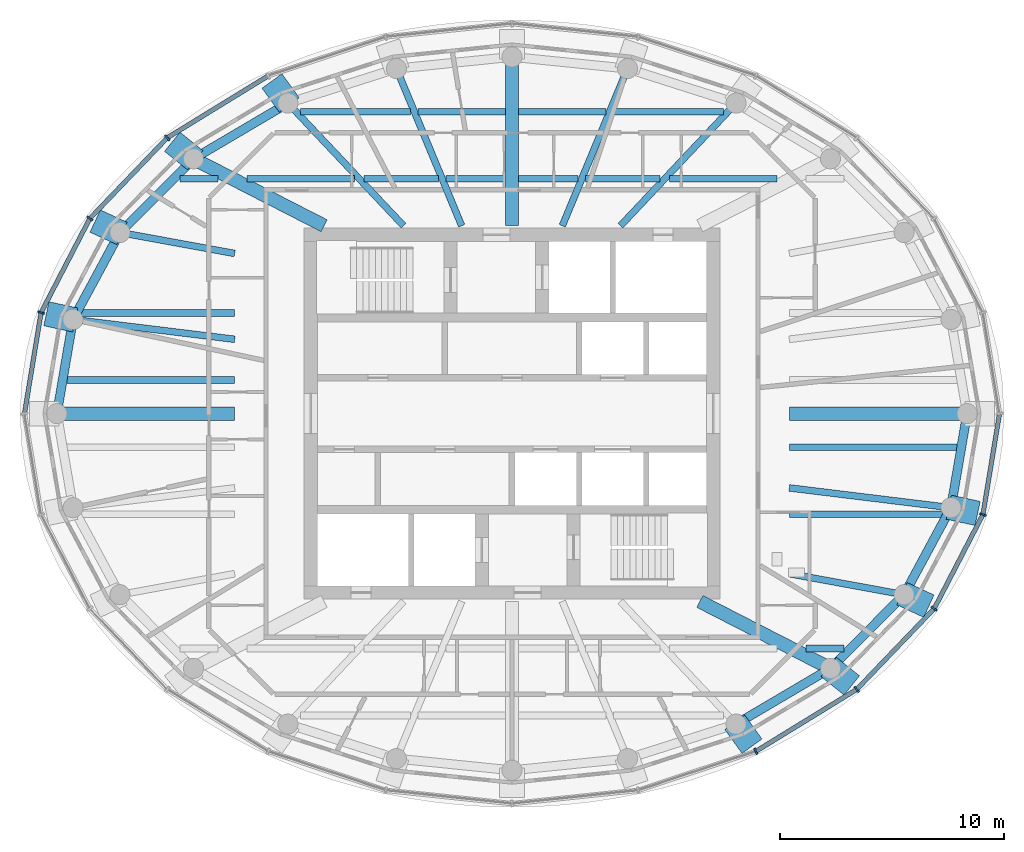
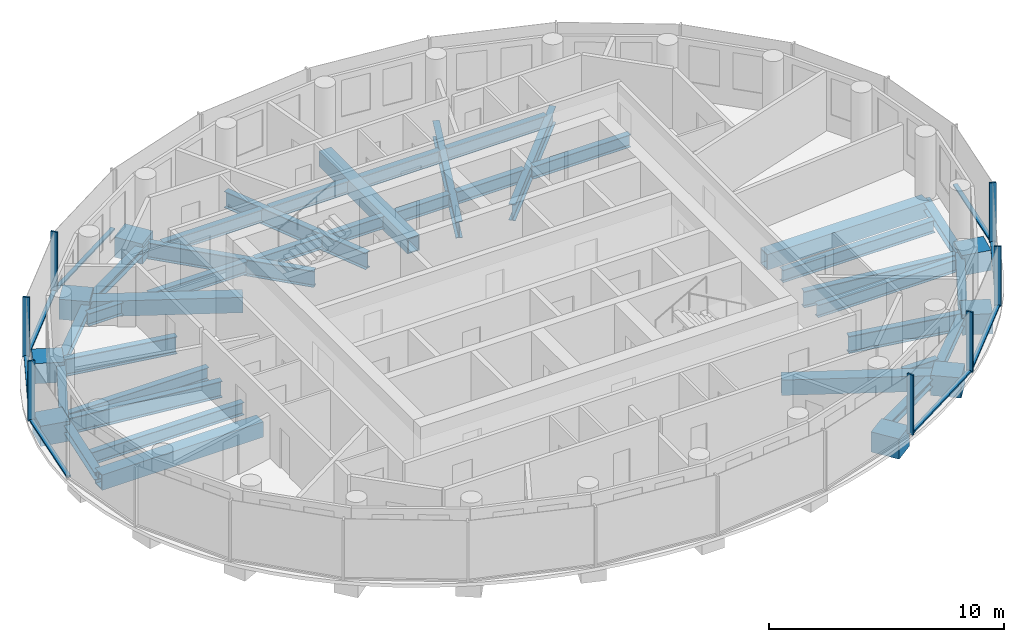
# One storey, part 2 of 11: 45 beams, 15 members, 2 elements without a shape of their own.
"""IFC4 building model written with IfcOpenShell, lengths in metres."""

from ifc_helpers import new_model, si_unit, direction, frame, origin, origin_2d, place, context, subcontext, project, spatial, rectangle, hollow_rectangle, i_section, extrude, material, material_profile, profile_set, type_object, element, aggregate, save


model = new_model("IFC4")

# Units and contexts
model_context = context("Model", 3, precision=1e-05, world=origin(), true_north=direction((0.0, 1.0)))
body_context = subcontext(model_context, "Body", "Model", "MODEL_VIEW")
ifc_project = project(units=[si_unit("LENGTHUNIT", "METRE"), si_unit("AREAUNIT", "SQUARE_METRE"), si_unit("VOLUMEUNIT", "CUBIC_METRE"), si_unit("PLANEANGLEUNIT", "RADIAN"), si_unit("MASSUNIT", "GRAM", prefix="KILO")], contexts=[model_context])

# Site, building, storey
site_placement = place(None, origin())
site = spatial("IfcSite", under=ifc_project, at=site_placement, CompositionType="ELEMENT")
building_placement = place(site_placement, origin())
building = spatial("IfcBuilding", under=site, at=building_placement, Name="Hankou Lantern Tower", CompositionType="ELEMENT")
storey_placement = place(building_placement, frame((0.0, 0.0, 192.89990234375)))
storey = spatial("IfcBuildingStorey", under=building, at=storey_placement, Name="L51", CompositionType="ELEMENT", Elevation=192.89990234375)

# Beams
ifc_material_1 = material(Name="Steel Q355B", Category="steel")
ifc_material_profile_1 = material_profile(ifc_material_1, i_section(OverallWidth=0.39990234375, OverallDepth=0.39990234375, WebThickness=0.012939453125, FlangeThickness=0.02099609375, FilletRadius=0.02197265625, at=origin_2d()), Name="HW400x400x13x21")
ifc_profile_set_1 = profile_set([ifc_material_profile_1], Name="Steel Q355B")
beam_type_1 = type_object("IfcBeamType", Name="EB19 RING BEAM HW400x400x13x21", PredefinedType="SPANDREL", material=ifc_profile_set_1)
beam_1_placement = place(storey_placement, frame((-10.01904296875, 13.8828125, -0.3798828125), z_axis=(-0.861422897323, -0.507888365655, 0.0), x_axis=(0.507888365655, -0.861422897323, 0.0)))
element("IfcBeam", 1, at=beam_1_placement, inside=storey, type_object=beam_type_1, Name="Ring beam R09-R10 L51", PredefinedType="SPANDREL", context=body_context, shape_type="SweptSolid", body=[
    extrude(i_section(OverallWidth=0.39990234375, OverallDepth=0.39990234375, WebThickness=0.012939453125, FlangeThickness=0.02099609375, FilletRadius=0.02197265625, at=origin_2d()), origin(), (0.0, 0.0, 1.0), 4.901611328125),
])
beam_2_placement = place(storey_placement, frame((-14.241455078125, 11.393310546875, -0.3798828125), z_axis=(-0.706608588034, -0.707604623583, 0.0), x_axis=(0.707604623583, -0.706608588034, 0.0)))
element("IfcBeam", 2, at=beam_2_placement, inside=storey, type_object=beam_type_1, Name="Ring beam R10-R11 L51", PredefinedType="SPANDREL", context=body_context, shape_type="SweptSolid", body=[
    extrude(i_section(OverallWidth=0.39990234375, OverallDepth=0.39990234375, WebThickness=0.012939453125, FlangeThickness=0.02099609375, FilletRadius=0.02197265625, at=origin_2d()), origin(), (0.0, 0.0, 1.0), 4.6572265625),
])
beam_3_placement = place(storey_placement, frame((-17.5322265625, 8.097900390625, -0.3798828125), z_axis=(-0.474491806611, -0.880259919262, 0.0), x_axis=(0.880259919262, -0.474491806611, 0.0)))
element("IfcBeam", 3, at=beam_3_placement, inside=storey, type_object=beam_type_1, Name="Ring beam R11-R12 L51", PredefinedType="SPANDREL", context=body_context, shape_type="SweptSolid", body=[
    extrude(i_section(OverallWidth=0.39990234375, OverallDepth=0.39990234375, WebThickness=0.012939453125, FlangeThickness=0.02099609375, FilletRadius=0.02197265625, at=origin_2d()), origin(), (0.0, 0.0, 1.0), 4.419189453125),
])
beam_4_placement = place(storey_placement, frame((-19.629150390625, 4.207763671875, -0.3798828125), z_axis=(-0.168876512999, -0.98563721691, 0.0), x_axis=(0.98563721691, -0.168876512999, 0.0)))
element("IfcBeam", 4, at=beam_4_placement, inside=storey, type_object=beam_type_1, Name="Ring beam R12-R13 L51", PredefinedType="SPANDREL", context=body_context, shape_type="SweptSolid", body=[
    extrude(i_section(OverallWidth=0.39990234375, OverallDepth=0.39990234375, WebThickness=0.012939453125, FlangeThickness=0.02099609375, FilletRadius=0.02197265625, at=origin_2d()), origin(), (0.0, 0.0, 1.0), 4.26904296875),
])
beam_5_placement = place(storey_placement, frame((10.01904296875, -13.8828125, -0.3798828125), z_axis=(0.861422897323, 0.507888365655, 0.0), x_axis=(-0.507888365655, 0.861422897323, 0.0)))
element("IfcBeam", 5, at=beam_5_placement, inside=storey, type_object=beam_type_1, Name="Ring beam R21-R22 L51", PredefinedType="SPANDREL", context=body_context, shape_type="SweptSolid", body=[
    extrude(i_section(OverallWidth=0.39990234375, OverallDepth=0.39990234375, WebThickness=0.012939453125, FlangeThickness=0.02099609375, FilletRadius=0.02197265625, at=origin_2d()), origin(), (0.0, 0.0, 1.0), 4.901611328125),
])
beam_6_placement = place(storey_placement, frame((14.241455078125, -11.393310546875, -0.3798828125), z_axis=(0.706608588034, 0.707604623583, 0.0), x_axis=(-0.707604623583, 0.706608588034, 0.0)))
element("IfcBeam", 6, at=beam_6_placement, inside=storey, type_object=beam_type_1, Name="Ring beam R22-R23 L51", PredefinedType="SPANDREL", context=body_context, shape_type="SweptSolid", body=[
    extrude(i_section(OverallWidth=0.39990234375, OverallDepth=0.39990234375, WebThickness=0.012939453125, FlangeThickness=0.02099609375, FilletRadius=0.02197265625, at=origin_2d()), origin(), (0.0, 0.0, 1.0), 4.6572265625),
])
beam_7_placement = place(storey_placement, frame((17.5322265625, -8.097900390625, -0.3798828125), z_axis=(0.474491806611, 0.880259919262, 0.0), x_axis=(-0.880259919262, 0.474491806611, 0.0)))
element("IfcBeam", 7, at=beam_7_placement, inside=storey, type_object=beam_type_1, Name="Ring beam R23-R24 L51", PredefinedType="SPANDREL", context=body_context, shape_type="SweptSolid", body=[
    extrude(i_section(OverallWidth=0.39990234375, OverallDepth=0.39990234375, WebThickness=0.012939453125, FlangeThickness=0.02099609375, FilletRadius=0.02197265625, at=origin_2d()), origin(), (0.0, 0.0, 1.0), 4.419189453125),
])
beam_8_placement = place(storey_placement, frame((19.629150390625, -4.207763671875, -0.3798828125), z_axis=(0.168876512999, 0.98563721691, 0.0), x_axis=(-0.98563721691, 0.168876512999, 0.0)))
element("IfcBeam", 8, at=beam_8_placement, inside=storey, type_object=beam_type_1, Name="Ring beam R24-R01 L51", PredefinedType="SPANDREL", context=body_context, shape_type="SweptSolid", body=[
    extrude(i_section(OverallWidth=0.39990234375, OverallDepth=0.39990234375, WebThickness=0.012939453125, FlangeThickness=0.02099609375, FilletRadius=0.02197265625, at=origin_2d()), origin(), (0.0, 0.0, 1.0), 4.26904296875),
])

# Curtain wall, members
ifc_material_2 = material(Name="Glass, dark grey tinted laminated", Category="glass")
curtain_wall_type = type_object("IfcCurtainWallType", Name="CWD OUTER SKIN SUITE", PredefinedType="USERDEFINED", material=ifc_material_2)
curtain_wall_1_placement = place(storey_placement, origin())
curtain_wall_1 = element("IfcCurtainWall", 9, at=curtain_wall_1_placement, inside=storey, type_object=curtain_wall_type, Name="CWD L51 OS2", ObjectType="OUTER SKIN SUITE", PredefinedType="USERDEFINED")
ifc_material_3 = material(Name="Aluminium, black anodised", Category="aluminium")
ifc_material_profile_2 = material_profile(ifc_material_3, rectangle(XDim=0.080078125, YDim=0.300048828125, at=origin_2d()), Name="MU1 80X300")
ifc_profile_set_2 = profile_set([ifc_material_profile_2], Name="Aluminium, black anodised")
member_type_1 = type_object("IfcMemberType", Name="MU1 OUTER SKIN MULLION 80X300", PredefinedType="MULLION", material=ifc_profile_set_2)
member_1_placement = place(storey_placement, frame((-15.4150390625, 12.33203125, 0.0), z_axis=(0.0, 0.0, 1.0), x_axis=(-0.780868809444, -0.624695047553, 0.0)))
member_1 = element("IfcMember", 10, at=member_1_placement, type_object=member_type_1, Name="CWD mullion 4", PredefinedType="MULLION", context=body_context, shape_type="SweptSolid", body=[
    extrude(rectangle(XDim=0.080078125, YDim=0.300048828125, at=origin_2d()), origin(), (0.0, 0.0, 1.0), 3.1201171875),
])
member_2_placement = place(storey_placement, frame((-18.87939453125, 8.719970703125, 0.0), z_axis=(0.0, 0.0, 1.0), x_axis=(-0.585205735974, -0.810884854084, 0.0)))
member_2 = element("IfcMember", 11, at=member_2_placement, type_object=member_type_1, Name="CWD mullion 5", PredefinedType="MULLION", context=body_context, shape_type="SweptSolid", body=[
    extrude(rectangle(XDim=0.080078125, YDim=0.300048828125, at=origin_2d()), origin(), (0.0, 0.0, 1.0), 3.1201171875),
])
member_3_placement = place(storey_placement, frame((-21.05712890625, 4.513916015625, 0.0), z_axis=(0.0, 0.0, 1.0), x_axis=(-0.317595577365, -0.94822626479, 0.0)))
member_3 = element("IfcMember", 12, at=member_3_placement, type_object=member_type_1, Name="CWD mullion 6", PredefinedType="MULLION", context=body_context, shape_type="SweptSolid", body=[
    extrude(rectangle(XDim=0.080078125, YDim=0.300048828125, at=origin_2d()), origin(), (0.0, 0.0, 1.0), 3.1201171875),
])

curtain_wall_2_placement = place(storey_placement, origin())
curtain_wall_2 = element("IfcCurtainWall", 13, at=curtain_wall_2_placement, inside=storey, type_object=curtain_wall_type, Name="CWD L51 OS4", ObjectType="OUTER SKIN SUITE", PredefinedType="USERDEFINED")
member_4_placement = place(storey_placement, frame((10.89990234375, -15.103515625, 0.0), z_axis=(0.0, 0.0, 1.0), x_axis=(0.907841299004, 0.419313934686, 0.0)))
member_4 = element("IfcMember", 14, at=member_4_placement, type_object=member_type_1, Name="CWD mullion 3", PredefinedType="MULLION", context=body_context, shape_type="SweptSolid", body=[
    extrude(rectangle(XDim=0.080078125, YDim=0.300048828125, at=origin_2d()), origin(), (0.0, 0.0, 1.0), 3.1201171875),
])
member_5_placement = place(storey_placement, frame((15.4150390625, -12.33203125, 0.0), z_axis=(0.0, 0.0, 1.0), x_axis=(0.780868809444, 0.624695047553, 0.0)))
member_5 = element("IfcMember", 15, at=member_5_placement, type_object=member_type_1, Name="CWD mullion 4", PredefinedType="MULLION", context=body_context, shape_type="SweptSolid", body=[
    extrude(rectangle(XDim=0.080078125, YDim=0.300048828125, at=origin_2d()), origin(), (0.0, 0.0, 1.0), 3.1201171875),
])
member_6_placement = place(storey_placement, frame((18.87939453125, -8.719970703125, 0.0), z_axis=(0.0, 0.0, 1.0), x_axis=(0.585205735974, 0.810884854084, 0.0)))
member_6 = element("IfcMember", 16, at=member_6_placement, type_object=member_type_1, Name="CWD mullion 5", PredefinedType="MULLION", context=body_context, shape_type="SweptSolid", body=[
    extrude(rectangle(XDim=0.080078125, YDim=0.300048828125, at=origin_2d()), origin(), (0.0, 0.0, 1.0), 3.1201171875),
])
member_7_placement = place(storey_placement, frame((21.05712890625, -4.513916015625, 0.0), z_axis=(0.0, 0.0, 1.0), x_axis=(0.317595577365, 0.94822626479, 0.0)))
member_7 = element("IfcMember", 17, at=member_7_placement, type_object=member_type_1, Name="CWD mullion 6", PredefinedType="MULLION", context=body_context, shape_type="SweptSolid", body=[
    extrude(rectangle(XDim=0.080078125, YDim=0.300048828125, at=origin_2d()), origin(), (0.0, 0.0, 1.0), 3.1201171875),
])

# Beams
ifc_material_4 = material(Name="Steel Q390GJ", Category="steel")
ifc_material_profile_3 = material_profile(ifc_material_4, hollow_rectangle(XDim=0.60009765625, YDim=0.800048828125, WallThickness=0.050048828125, at=origin_2d()), Name="BOX800x600x50")
ifc_profile_set_3 = profile_set([ifc_material_profile_3], Name="Steel Q390GJ")
beam_type_2 = type_object("IfcBeamType", Name="OT2 OUTRIGGER CHORD BOX800x600x50", PredefinedType="BEAM", material=ifc_profile_set_3)
beam_9_placement = place(storey_placement, frame((12.39990234375, 0.0, -0.579833984375), z_axis=(1.0, 0.0, 0.0), x_axis=(0.0, 1.0, 0.0)))
element("IfcBeam", 18, at=beam_9_placement, inside=storey, type_object=beam_type_2, Name="Radial beam R01 L51", PredefinedType="BEAM", context=body_context, shape_type="SweptSolid", body=[
    extrude(hollow_rectangle(XDim=0.60009765625, YDim=0.800048828125, WallThickness=0.050048828125, at=origin_2d()), origin(), (0.0, 0.0, 1.0), 7.9501953125),
])
beam_10_placement = place(storey_placement, frame((0.0, 8.39990234375, -0.579833984375), z_axis=(0.0, 1.0, 0.0), x_axis=(-1.0, 0.0, 0.0)))
element("IfcBeam", 19, at=beam_10_placement, inside=storey, type_object=beam_type_2, Name="Radial beam R07 L51", PredefinedType="BEAM", context=body_context, shape_type="SweptSolid", body=[
    extrude(hollow_rectangle(XDim=0.60009765625, YDim=0.800048828125, WallThickness=0.050048828125, at=origin_2d()), origin(), (0.0, 0.0, 1.0), 7.550048828125),
])
beam_11_placement = place(storey_placement, frame((-8.39990234375, 8.39990234375, -0.579833984375), z_axis=(-0.889957215758, 0.456044026515, 0.0), x_axis=(-0.456044026515, -0.889957215758, 0.0)))
element("IfcBeam", 20, at=beam_11_placement, inside=storey, type_object=beam_type_2, Name="Radial beam R10 L51", PredefinedType="BEAM", context=body_context, shape_type="SweptSolid", body=[
    extrude(hollow_rectangle(XDim=0.60009765625, YDim=0.800048828125, WallThickness=0.050048828125, at=origin_2d()), origin(), (0.0, 0.0, 1.0), 6.56396484375),
])
beam_12_placement = place(storey_placement, frame((-12.39990234375, 0.0, -0.579833984375), z_axis=(-1.0, 0.0, 0.0), x_axis=(0.0, -1.0, 0.0)))
element("IfcBeam", 21, at=beam_12_placement, inside=storey, type_object=beam_type_2, Name="Radial beam R13 L51", PredefinedType="BEAM", context=body_context, shape_type="SweptSolid", body=[
    extrude(hollow_rectangle(XDim=0.60009765625, YDim=0.800048828125, WallThickness=0.050048828125, at=origin_2d()), origin(), (0.0, 0.0, 1.0), 7.9501953125),
])
beam_13_placement = place(storey_placement, frame((8.39990234375, -8.39990234375, -0.579833984375), z_axis=(0.889957215758, -0.456044026515, 0.0), x_axis=(0.456044026515, 0.889957215758, 0.0)))
element("IfcBeam", 22, at=beam_13_placement, inside=storey, type_object=beam_type_2, Name="Radial beam R22 L51", PredefinedType="BEAM", context=body_context, shape_type="SweptSolid", body=[
    extrude(hollow_rectangle(XDim=0.60009765625, YDim=0.800048828125, WallThickness=0.050048828125, at=origin_2d()), origin(), (0.0, 0.0, 1.0), 6.56396484375),
])
ifc_material_5 = material(Name="Steel Q355B", Category="steel")
ifc_material_profile_4 = material_profile(ifc_material_5, i_section(OverallWidth=0.300048828125, OverallDepth=0.85009765625, WebThickness=0.01611328125, FlangeThickness=0.027099609375, FilletRadius=0.01806640625, at=origin_2d()), Name="HN850x300x16x27")
ifc_profile_set_4 = profile_set([ifc_material_profile_4], Name="Steel Q355B")
beam_type_3 = type_object("IfcBeamType", Name="RB12 RADIAL BEAM HN850x300x16x27", PredefinedType="BEAM", material=ifc_profile_set_4)
beam_14_placement = place(storey_placement, frame((4.849853515625, 8.39990234375, -0.60498046875), z_axis=(0.685983955473, 0.727616666132, 0.0), x_axis=(-0.727616666132, 0.685983955473, 0.0)))
element("IfcBeam", 23, at=beam_14_placement, inside=storey, type_object=beam_type_3, Name="Radial beam R05 L51", PredefinedType="BEAM", context=body_context, shape_type="SweptSolid", body=[
    extrude(i_section(OverallWidth=0.300048828125, OverallDepth=0.85009765625, WebThickness=0.01611328125, FlangeThickness=0.027099609375, FilletRadius=0.01806640625, at=origin_2d()), origin(), (0.0, 0.0, 1.0), 7.535400390625),
])
for number, where, z_axis, x_axis, name in (
    (24, (2.250732421875, 8.39990234375, -0.60498046875), (0.383320861965, 0.923615242827, 0.0), (-0.923615242827, 0.383320861965, 0.0), "Radial beam R06 L51"),
    (25, (-2.250732421875, 8.39990234375, -0.60498046875), (-0.383320861965, 0.923615242827, 0.0), (-0.923615242827, -0.383320861965, 0.0), "Radial beam R08 L51"),
):
    element("IfcBeam", number, at=place(storey_placement, frame(where, z_axis=z_axis, x_axis=x_axis)), inside=storey, type_object=beam_type_3, Name=name, PredefinedType="BEAM", context=body_context, shape_type="SweptSolid", body=[
        extrude(i_section(OverallWidth=0.300048828125, OverallDepth=0.85009765625, WebThickness=0.01611328125, FlangeThickness=0.027099609375, FilletRadius=0.01806640625, at=origin_2d()), origin(), (0.0, 0.0, 1.0), 7.6083984375),
    ])
beam_15_placement = place(storey_placement, frame((-4.849853515625, 8.39990234375, -0.60498046875), z_axis=(-0.685983955473, 0.727616666132, 0.0), x_axis=(-0.727616666132, -0.685983955473, 0.0)))
element("IfcBeam", 26, at=beam_15_placement, inside=storey, type_object=beam_type_3, Name="Radial beam R09 L51", PredefinedType="BEAM", context=body_context, shape_type="SweptSolid", body=[
    extrude(i_section(OverallWidth=0.300048828125, OverallDepth=0.85009765625, WebThickness=0.01611328125, FlangeThickness=0.027099609375, FilletRadius=0.01806640625, at=origin_2d()), origin(), (0.0, 0.0, 1.0), 7.535400390625),
])
for number, where, z_axis, x_axis, name in (
    (27, (-12.39990234375, 3.322509765625, -0.60498046875), (-0.992585728443, 0.121546582396, 0.0), (-0.121546582396, -0.992585728443, 0.0), "Radial beam R12 L51"),
    (28, (12.39990234375, -3.322509765625, -0.60498046875), (0.992585728443, -0.121546582396, 0.0), (0.121546582396, 0.992585728443, 0.0), "Radial beam R24 L51"),
):
    element("IfcBeam", number, at=place(storey_placement, frame(where, z_axis=z_axis, x_axis=x_axis)), inside=storey, type_object=beam_type_3, Name=name, PredefinedType="BEAM", context=body_context, shape_type="SweptSolid", body=[
        extrude(i_section(OverallWidth=0.300048828125, OverallDepth=0.85009765625, WebThickness=0.01611328125, FlangeThickness=0.027099609375, FilletRadius=0.01806640625, at=origin_2d()), origin(), (0.0, 0.0, 1.0), 7.283203125),
    ])
ifc_material_6 = material(Name="Steel Q355B", Category="steel")
ifc_material_profile_5 = material_profile(ifc_material_6, i_section(OverallWidth=0.300048828125, OverallDepth=0.89990234375, WebThickness=0.01611328125, FlangeThickness=0.028076171875, FilletRadius=0.01806640625, at=origin_2d()), Name="HN900x300x16x28")
ifc_profile_set_5 = profile_set([ifc_material_profile_5], Name="Steel Q355B")
beam_type_4 = type_object("IfcBeamType", Name="RB13 RADIAL BEAM HN900x300x16x28", PredefinedType="BEAM", material=ifc_profile_set_5)
for number, where, z_axis, x_axis, name in (
    (29, (-12.39990234375, 7.1591796875, -0.6298828125), (-0.98368144672, 0.179918902228, 0.0), (-0.179918902228, -0.98368144672, 0.0), "Radial beam R11 L51"),
    (30, (12.39990234375, -7.1591796875, -0.6298828125), (0.98368144672, -0.179918902228, 0.0), (0.179918902228, 0.98368144672, 0.0), "Radial beam R23 L51"),
):
    element("IfcBeam", number, at=place(storey_placement, frame(where, z_axis=z_axis, x_axis=x_axis)), inside=storey, type_object=beam_type_4, Name=name, PredefinedType="BEAM", context=body_context, shape_type="SweptSolid", body=[
        extrude(i_section(OverallWidth=0.300048828125, OverallDepth=0.89990234375, WebThickness=0.01611328125, FlangeThickness=0.028076171875, FilletRadius=0.01806640625, at=origin_2d()), origin(), (0.0, 0.0, 1.0), 5.217529296875),
    ])
ifc_material_7 = material(Name="Steel Q355B", Category="steel")
ifc_material_profile_6 = material_profile(ifc_material_7, i_section(OverallWidth=0.300048828125, OverallDepth=0.64990234375, WebThickness=0.010986328125, FlangeThickness=0.01708984375, FilletRadius=0.01806640625, at=origin_2d()), Name="HN650x300x11x17")
ifc_profile_set_6 = profile_set([ifc_material_profile_6], Name="Steel Q355B")
beam_type_5 = type_object("IfcBeamType", Name="SB8 SECONDARY BEAM HN650x300x11x17", PredefinedType="JOIST", material=ifc_profile_set_6)
beam_16_placement = place(storey_placement, frame((13.15625, -10.5, -0.5048828125), z_axis=(1.0, 0.0, 0.0), x_axis=(0.0, 1.0, 0.0)))
element("IfcBeam", 31, at=beam_16_placement, inside=storey, type_object=beam_type_5, Name="Floor joist J012 L51", PredefinedType="JOIST", context=body_context, shape_type="SweptSolid", body=[
    extrude(i_section(OverallWidth=0.300048828125, OverallDepth=0.64990234375, WebThickness=0.010986328125, FlangeThickness=0.01708984375, FilletRadius=0.01806640625, at=origin_2d()), origin(), (0.0, 0.0, 1.0), 1.694580078125),
])
beam_17_placement = place(storey_placement, frame((12.39990234375, -4.5, -0.5048828125), z_axis=(1.0, 0.0, 0.0), x_axis=(0.0, 1.0, 0.0)))
element("IfcBeam", 32, at=beam_17_placement, inside=storey, type_object=beam_type_5, Name="Floor joist J016 L51", PredefinedType="JOIST", context=body_context, shape_type="SweptSolid", body=[
    extrude(i_section(OverallWidth=0.300048828125, OverallDepth=0.64990234375, WebThickness=0.010986328125, FlangeThickness=0.01708984375, FilletRadius=0.01806640625, at=origin_2d()), origin(), (0.0, 0.0, 1.0), 6.844482421875),
])
for number, where, z_axis, x_axis, name in (
    (33, (12.39990234375, -1.5, -0.5048828125), (1.0, 0.0, 0.0), (0.0, 1.0, 0.0), "Floor joist J018 L51"),
    (34, (-19.89013671875, 1.5, -0.5048828125), (1.0, 0.0, 0.0), (0.0, 1.0, 0.0), "Floor joist J019 L51"),
):
    element("IfcBeam", number, at=place(storey_placement, frame(where, z_axis=z_axis, x_axis=x_axis)), inside=storey, type_object=beam_type_5, Name=name, PredefinedType="JOIST", context=body_context, shape_type="SweptSolid", body=[
        extrude(i_section(OverallWidth=0.300048828125, OverallDepth=0.64990234375, WebThickness=0.010986328125, FlangeThickness=0.01708984375, FilletRadius=0.01806640625, at=origin_2d()), origin(), (0.0, 0.0, 1.0), 7.490234375),
    ])
beam_18_placement = place(storey_placement, frame((-19.244384765625, 4.5, -0.5048828125), z_axis=(1.0, 0.0, 0.0), x_axis=(0.0, 1.0, 0.0)))
element("IfcBeam", 35, at=beam_18_placement, inside=storey, type_object=beam_type_5, Name="Floor joist J021 L51", PredefinedType="JOIST", context=body_context, shape_type="SweptSolid", body=[
    extrude(i_section(OverallWidth=0.300048828125, OverallDepth=0.64990234375, WebThickness=0.010986328125, FlangeThickness=0.01708984375, FilletRadius=0.01806640625, at=origin_2d()), origin(), (0.0, 0.0, 1.0), 6.844482421875),
])
beam_19_placement = place(storey_placement, frame((-14.850830078125, 10.5, -0.5048828125), z_axis=(1.0, 0.0, 0.0), x_axis=(0.0, 1.0, 0.0)))
element("IfcBeam", 36, at=beam_19_placement, inside=storey, type_object=beam_type_5, Name="Floor joist J025 L51", PredefinedType="JOIST", context=body_context, shape_type="SweptSolid", body=[
    extrude(i_section(OverallWidth=0.300048828125, OverallDepth=0.64990234375, WebThickness=0.010986328125, FlangeThickness=0.01708984375, FilletRadius=0.01806640625, at=origin_2d()), origin(), (0.0, 0.0, 1.0), 1.694580078125),
])
beam_20_placement = place(storey_placement, frame((-11.84033203125, 10.5, -0.5048828125), z_axis=(1.0, 0.0, 0.0), x_axis=(0.0, 1.0, 0.0)))
element("IfcBeam", 37, at=beam_20_placement, inside=storey, type_object=beam_type_5, Name="Floor joist J026 L51", PredefinedType="JOIST", context=body_context, shape_type="SweptSolid", body=[
    extrude(i_section(OverallWidth=0.300048828125, OverallDepth=0.64990234375, WebThickness=0.010986328125, FlangeThickness=0.01708984375, FilletRadius=0.01806640625, at=origin_2d()), origin(), (0.0, 0.0, 1.0), 4.804443359375),
])
beam_21_placement = place(storey_placement, frame((-6.62353515625, 10.5, -0.5048828125), z_axis=(1.0, 0.0, 0.0), x_axis=(0.0, 1.0, 0.0)))
element("IfcBeam", 38, at=beam_21_placement, inside=storey, type_object=beam_type_5, Name="Floor joist J027 L51", PredefinedType="JOIST", context=body_context, shape_type="SweptSolid", body=[
    extrude(i_section(OverallWidth=0.300048828125, OverallDepth=0.64990234375, WebThickness=0.010986328125, FlangeThickness=0.01708984375, FilletRadius=0.01806640625, at=origin_2d()), origin(), (0.0, 0.0, 1.0), 3.3388671875),
])
for number, where, z_axis, x_axis, name in (
    (39, (-2.9599609375, 10.5, -0.5048828125), (1.0, 0.0, 0.0), (0.0, 1.0, 0.0), "Floor joist J028 L51"),
    (40, (0.300048828125, 10.5, -0.5048828125), (1.0, 0.0, 0.0), (0.0, 1.0, 0.0), "Floor joist J029 L51"),
):
    element("IfcBeam", number, at=place(storey_placement, frame(where, z_axis=z_axis, x_axis=x_axis)), inside=storey, type_object=beam_type_5, Name=name, PredefinedType="JOIST", context=body_context, shape_type="SweptSolid", body=[
        extrude(i_section(OverallWidth=0.300048828125, OverallDepth=0.64990234375, WebThickness=0.010986328125, FlangeThickness=0.01708984375, FilletRadius=0.01806640625, at=origin_2d()), origin(), (0.0, 0.0, 1.0), 2.659912109375),
    ])
beam_22_placement = place(storey_placement, frame((3.28466796875, 10.5, -0.5048828125), z_axis=(1.0, 0.0, 0.0), x_axis=(0.0, 1.0, 0.0)))
element("IfcBeam", 41, at=beam_22_placement, inside=storey, type_object=beam_type_5, Name="Floor joist J030 L51", PredefinedType="JOIST", context=body_context, shape_type="SweptSolid", body=[
    extrude(i_section(OverallWidth=0.300048828125, OverallDepth=0.64990234375, WebThickness=0.010986328125, FlangeThickness=0.01708984375, FilletRadius=0.01806640625, at=origin_2d()), origin(), (0.0, 0.0, 1.0), 3.3388671875),
])
beam_23_placement = place(storey_placement, frame((7.035888671875, 10.5, -0.5048828125), z_axis=(1.0, 0.0, 0.0), x_axis=(0.0, 1.0, 0.0)))
element("IfcBeam", 42, at=beam_23_placement, inside=storey, type_object=beam_type_5, Name="Floor joist J031 L51", PredefinedType="JOIST", context=body_context, shape_type="SweptSolid", body=[
    extrude(i_section(OverallWidth=0.300048828125, OverallDepth=0.64990234375, WebThickness=0.010986328125, FlangeThickness=0.01708984375, FilletRadius=0.01806640625, at=origin_2d()), origin(), (0.0, 0.0, 1.0), 4.804443359375),
])
beam_24_placement = place(storey_placement, frame((-9.451904296875, 13.5, -0.5048828125), z_axis=(1.0, 0.0, 0.0), x_axis=(0.0, 1.0, 0.0)))
element("IfcBeam", 43, at=beam_24_placement, inside=storey, type_object=beam_type_5, Name="Floor joist J033 L51", PredefinedType="JOIST", context=body_context, shape_type="SweptSolid", body=[
    extrude(i_section(OverallWidth=0.300048828125, OverallDepth=0.64990234375, WebThickness=0.010986328125, FlangeThickness=0.01708984375, FilletRadius=0.01806640625, at=origin_2d()), origin(), (0.0, 0.0, 1.0), 4.922119140625),
])
for number, where, z_axis, x_axis, name in (
    (44, (-4.204833984375, 13.5, -0.5048828125), (1.0, 0.0, 0.0), (0.0, 1.0, 0.0), "Floor joist J034 L51"),
    (45, (0.300048828125, 13.5, -0.5048828125), (1.0, 0.0, 0.0), (0.0, 1.0, 0.0), "Floor joist J035 L51"),
):
    element("IfcBeam", number, at=place(storey_placement, frame(where, z_axis=z_axis, x_axis=x_axis)), inside=storey, type_object=beam_type_5, Name=name, PredefinedType="JOIST", context=body_context, shape_type="SweptSolid", body=[
        extrude(i_section(OverallWidth=0.300048828125, OverallDepth=0.64990234375, WebThickness=0.010986328125, FlangeThickness=0.01708984375, FilletRadius=0.01806640625, at=origin_2d()), origin(), (0.0, 0.0, 1.0), 3.90478515625),
    ])
beam_25_placement = place(storey_placement, frame((4.52978515625, 13.5, -0.5048828125), z_axis=(1.0, 0.0, 0.0), x_axis=(0.0, 1.0, 0.0)))
element("IfcBeam", 46, at=beam_25_placement, inside=storey, type_object=beam_type_5, Name="Floor joist J036 L51", PredefinedType="JOIST", context=body_context, shape_type="SweptSolid", body=[
    extrude(i_section(OverallWidth=0.300048828125, OverallDepth=0.64990234375, WebThickness=0.010986328125, FlangeThickness=0.01708984375, FilletRadius=0.01806640625, at=origin_2d()), origin(), (0.0, 0.0, 1.0), 4.922119140625),
])
ifc_material_8 = material(Name="Concrete C50", Category="concrete")
ifc_material_profile_7 = material_profile(ifc_material_8, rectangle(XDim=1.10009765625, YDim=1.050048828125, at=origin_2d()), Name="RC 1100x1050")
ifc_profile_set_7 = profile_set([ifc_material_profile_7], Name="Concrete C50")
beam_type_6 = type_object("IfcBeamType", Name="TN3 TRANSFER NODE RC 1100x1050", PredefinedType="BEAM", material=ifc_profile_set_7)
beam_26_placement = place(storey_placement, frame((-10.733154296875, 14.872314453125, -0.52490234375), z_axis=(0.585132631737, -0.810937607512, 0.0), x_axis=(0.810937607512, 0.585132631737, 0.0)))
element("IfcBeam", 47, at=beam_26_placement, inside=storey, type_object=beam_type_6, Name="Transfer node R09 L51", PredefinedType="BEAM", context=body_context, shape_type="SweptSolid", body=[
    extrude(rectangle(XDim=1.10009765625, YDim=1.050048828125, at=origin_2d()), origin(), (0.0, 0.0, 1.0), 1.320068359375),
])
beam_27_placement = place(storey_placement, frame((-15.194091796875, 12.1552734375, -0.52490234375), z_axis=(0.780850761128, -0.62471760728, 0.0), x_axis=(0.62471760728, 0.780850761128, 0.0)))
element("IfcBeam", 48, at=beam_27_placement, inside=storey, type_object=beam_type_6, Name="Transfer node R10 L51", PredefinedType="BEAM", context=body_context, shape_type="SweptSolid", body=[
    extrude(rectangle(XDim=1.10009765625, YDim=1.050048828125, at=origin_2d()), origin(), (0.0, 0.0, 1.0), 1.31982421875),
])
for number, where, z_axis, x_axis, name in (
    (49, (-18.639892578125, 8.609375, -0.52490234375), (0.907867344, -0.419257541016, 0.0), (0.419257541016, 0.907867344, 0.0), "Transfer node R11 L51"),
    (50, (-20.822021484375, 4.46337890625, -0.52490234375), (0.977799707496, -0.209541719045, 0.0), (0.209541719045, 0.977799707496, 0.0), "Transfer node R12 L51"),
    (51, (10.733154296875, -14.872314453125, -0.52490234375), (-0.585132631737, 0.810937607512, 0.0), (-0.810937607512, -0.585132631737, 0.0), "Transfer node R21 L51"),
):
    element("IfcBeam", number, at=place(storey_placement, frame(where, z_axis=z_axis, x_axis=x_axis)), inside=storey, type_object=beam_type_6, Name=name, PredefinedType="BEAM", context=body_context, shape_type="SweptSolid", body=[
        extrude(rectangle(XDim=1.10009765625, YDim=1.050048828125, at=origin_2d()), origin(), (0.0, 0.0, 1.0), 1.320068359375),
    ])
beam_28_placement = place(storey_placement, frame((15.194091796875, -12.1552734375, -0.52490234375), z_axis=(-0.780850761128, 0.62471760728, 0.0), x_axis=(-0.62471760728, -0.780850761128, 0.0)))
element("IfcBeam", 52, at=beam_28_placement, inside=storey, type_object=beam_type_6, Name="Transfer node R22 L51", PredefinedType="BEAM", context=body_context, shape_type="SweptSolid", body=[
    extrude(rectangle(XDim=1.10009765625, YDim=1.050048828125, at=origin_2d()), origin(), (0.0, 0.0, 1.0), 1.31982421875),
])
for number, where, z_axis, x_axis, name in (
    (53, (18.639892578125, -8.609375, -0.52490234375), (-0.907867344, 0.419257541016, 0.0), (-0.419257541016, -0.907867344, 0.0), "Transfer node R23 L51"),
    (54, (20.822021484375, -4.46337890625, -0.52490234375), (-0.977799707496, 0.209541719045, 0.0), (-0.209541719045, -0.977799707496, 0.0), "Transfer node R24 L51"),
):
    element("IfcBeam", number, at=place(storey_placement, frame(where, z_axis=z_axis, x_axis=x_axis)), inside=storey, type_object=beam_type_6, Name=name, PredefinedType="BEAM", context=body_context, shape_type="SweptSolid", body=[
        extrude(rectangle(XDim=1.10009765625, YDim=1.050048828125, at=origin_2d()), origin(), (0.0, 0.0, 1.0), 1.320068359375),
    ])

# Member
ifc_material_9 = material(Name="Aluminium, black anodised", Category="aluminium")
ifc_material_profile_8 = material_profile(ifc_material_9, rectangle(XDim=0.199951171875, YDim=0.080078125, at=origin_2d()), Name="TR1 200X80")
ifc_profile_set_8 = profile_set([ifc_material_profile_8], Name="Aluminium, black anodised")
member_type_2 = type_object("IfcMemberType", Name="TR1 OUTER SKIN TRANSOM 200X80", PredefinedType="USERDEFINED", material=ifc_profile_set_8)
member_8_placement = place(storey_placement, frame((-10.93408203125, 15.08251953125, 0.0400390625), z_axis=(-0.852234544008, -0.523159900986, 0.0), x_axis=(0.523159900986, -0.852234544008, 0.0)))
member_8 = element("IfcMember", 55, at=member_8_placement, type_object=member_type_2, Name="CWD transom 3", ObjectType="TRANSOM", PredefinedType="USERDEFINED", context=body_context, shape_type="SweptSolid", body=[
    extrude(rectangle(XDim=0.199951171875, YDim=0.080078125, at=origin_2d()), origin(), (0.0, 0.0, 1.0), 5.2177734375),
])

member_9_placement = place(storey_placement, frame((-15.442626953125, 12.302978515625, 0.0400390625), z_axis=(-0.692204633274, -0.721701285626, 0.0), x_axis=(0.721701285626, -0.692204633274, 0.0)))
member_9 = element("IfcMember", 56, at=member_9_placement, type_object=member_type_2, Name="CWD transom 4", ObjectType="TRANSOM", PredefinedType="USERDEFINED", context=body_context, shape_type="SweptSolid", body=[
    extrude(rectangle(XDim=0.199951171875, YDim=0.080078125, at=origin_2d()), origin(), (0.0, 0.0, 1.0), 4.9248046875),
])

member_10_placement = place(storey_placement, frame((-18.897705078125, 8.6845703125, 0.0400390625), z_axis=(-0.45979371115, -0.888025755925, 0.0), x_axis=(0.888025755925, -0.45979371115, 0.0)))
member_10 = element("IfcMember", 57, at=member_10_placement, type_object=member_type_2, Name="CWD transom 5", ObjectType="TRANSOM", PredefinedType="USERDEFINED", context=body_context, shape_type="SweptSolid", body=[
    extrude(rectangle(XDim=0.199951171875, YDim=0.080078125, at=origin_2d()), origin(), (0.0, 0.0, 1.0), 4.65673828125),
])

member_11_placement = place(storey_placement, frame((-21.063720703125, 4.474365234375, 0.0400390625), z_axis=(-0.162363822839, -0.986730960816, 0.0), x_axis=(0.986730960816, -0.162363822839, 0.0)))
member_11 = element("IfcMember", 58, at=member_11_placement, type_object=member_type_2, Name="CWD transom 6", ObjectType="TRANSOM", PredefinedType="USERDEFINED", context=body_context, shape_type="SweptSolid", body=[
    extrude(rectangle(XDim=0.199951171875, YDim=0.080078125, at=origin_2d()), origin(), (0.0, 0.0, 1.0), 4.494384765625),
])

aggregate(curtain_wall_1, [member_1, member_2, member_3, member_8, member_9, member_10, member_11])

member_12_placement = place(storey_placement, frame((10.93408203125, -15.08251953125, 0.0400390625), z_axis=(0.852234544008, 0.523159900986, 0.0), x_axis=(-0.523159900986, 0.852234544008, 0.0)))
member_12 = element("IfcMember", 59, at=member_12_placement, type_object=member_type_2, Name="CWD transom 3", ObjectType="TRANSOM", PredefinedType="USERDEFINED", context=body_context, shape_type="SweptSolid", body=[
    extrude(rectangle(XDim=0.199951171875, YDim=0.080078125, at=origin_2d()), origin(), (0.0, 0.0, 1.0), 5.2177734375),
])

member_13_placement = place(storey_placement, frame((15.442626953125, -12.302978515625, 0.0400390625), z_axis=(0.692204633274, 0.721701285626, 0.0), x_axis=(-0.721701285626, 0.692204633274, 0.0)))
member_13 = element("IfcMember", 60, at=member_13_placement, type_object=member_type_2, Name="CWD transom 4", ObjectType="TRANSOM", PredefinedType="USERDEFINED", context=body_context, shape_type="SweptSolid", body=[
    extrude(rectangle(XDim=0.199951171875, YDim=0.080078125, at=origin_2d()), origin(), (0.0, 0.0, 1.0), 4.9248046875),
])

member_14_placement = place(storey_placement, frame((18.897705078125, -8.6845703125, 0.0400390625), z_axis=(0.45979371115, 0.888025755925, 0.0), x_axis=(-0.888025755925, 0.45979371115, 0.0)))
member_14 = element("IfcMember", 61, at=member_14_placement, type_object=member_type_2, Name="CWD transom 5", ObjectType="TRANSOM", PredefinedType="USERDEFINED", context=body_context, shape_type="SweptSolid", body=[
    extrude(rectangle(XDim=0.199951171875, YDim=0.080078125, at=origin_2d()), origin(), (0.0, 0.0, 1.0), 4.65673828125),
])

member_15_placement = place(storey_placement, frame((21.063720703125, -4.474365234375, 0.0400390625), z_axis=(0.162363822839, 0.986730960816, 0.0), x_axis=(-0.986730960816, 0.162363822839, 0.0)))
member_15 = element("IfcMember", 62, at=member_15_placement, type_object=member_type_2, Name="CWD transom 6", ObjectType="TRANSOM", PredefinedType="USERDEFINED", context=body_context, shape_type="SweptSolid", body=[
    extrude(rectangle(XDim=0.199951171875, YDim=0.080078125, at=origin_2d()), origin(), (0.0, 0.0, 1.0), 4.494384765625),
])

aggregate(curtain_wall_2, [member_4, member_5, member_6, member_7, member_12, member_13, member_14, member_15])

save(model, "model.ifc")
